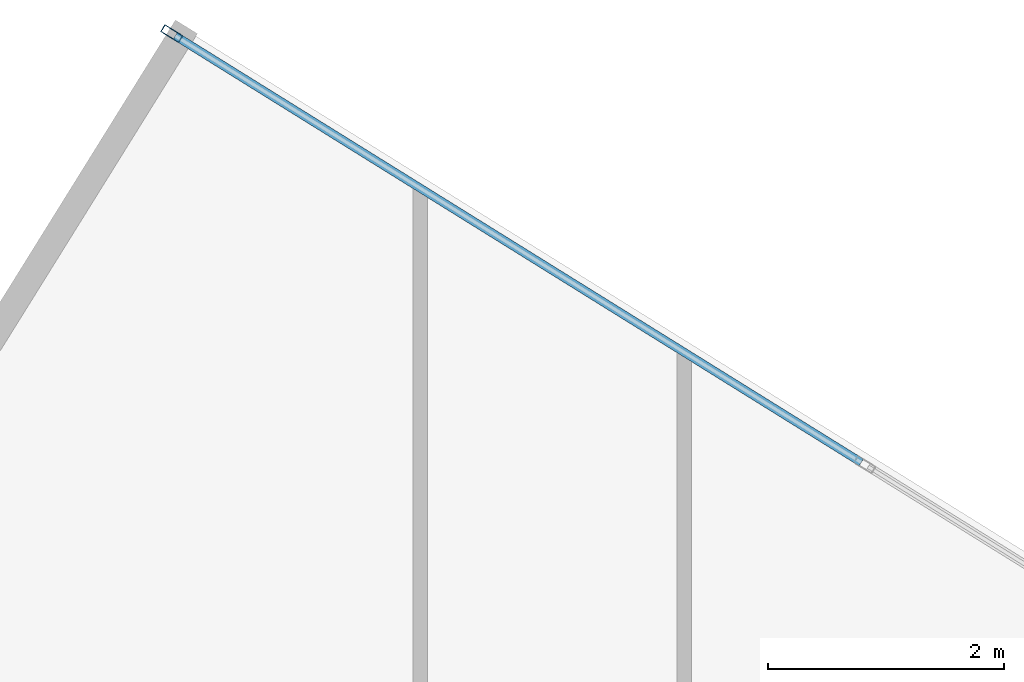
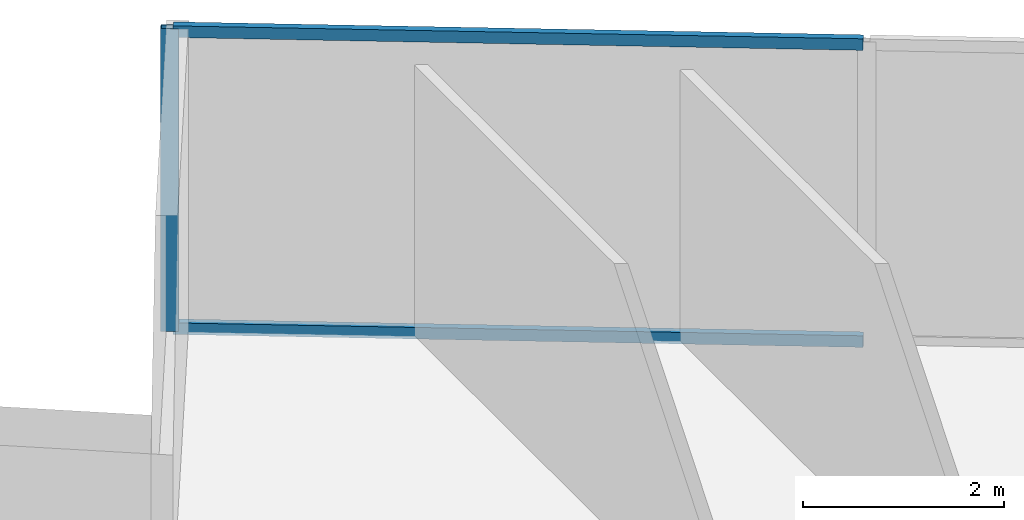
# One storey, part 16 of 25: 3 members, 1 element without a shape of its own.
"""IFC4 building model written with IfcOpenShell, lengths in metres."""

from ifc_helpers import new_model, si_unit, direction, frame, origin, origin_2d, place, context, subcontext, project, spatial, hollow_rectangle, extrude, source, transform, mapped, material, material_profile, profile_set, type_object, type_shapes, element, aggregate, save


model = new_model("IFC4")

# Units and contexts
model_context = context("Model", 3, precision=1e-05, world=origin(), true_north=direction((0.0, 1.0)))
body_context = subcontext(model_context, "Body", "Model", "MODEL_VIEW")
ifc_project = project(units=[si_unit("LENGTHUNIT", "METRE"), si_unit("AREAUNIT", "SQUARE_METRE"), si_unit("VOLUMEUNIT", "CUBIC_METRE"), si_unit("PLANEANGLEUNIT", "RADIAN"), si_unit("MASSUNIT", "GRAM", prefix="KILO")], contexts=[model_context])

# Site, building, storey
site_placement = place(None, origin())
site = spatial("IfcSite", under=ifc_project, at=site_placement, CompositionType="ELEMENT")
building_placement = place(site_placement, origin())
building = spatial("IfcBuilding", under=site, at=building_placement, Name="Krantzveldt Concourse Tower", CompositionType="ELEMENT")
storey_placement = place(building_placement, frame((0.0, 0.0, 177.800048828125)))
storey = spatial("IfcBuildingStorey", under=building, at=storey_placement, Name="L43", CompositionType="ELEMENT", Elevation=177.800048828125)

# Curtain wall, members
ifc_material = material(Name="Anodised aluminium 6063-T6", Category="aluminium")
curtain_wall_type = type_object("IfcCurtainWallType", Name="CW3", PredefinedType="USERDEFINED", material=ifc_material)
curtain_wall_placement = place(storey_placement, origin())
curtain_wall = element("IfcCurtainWall", 1, at=curtain_wall_placement, inside=storey, type_object=curtain_wall_type, Name="CW-L43-F10", ObjectType="UNITISED CURTAIN WALL", PredefinedType="USERDEFINED")
ifc_material_profile_1 = material_profile(ifc_material, hollow_rectangle(XDim=0.070068359375, YDim=0.179931640625, WallThickness=0.0048828125, at=origin_2d()), Name="Anodised aluminium 6063-T6", Category="aluminium")
ifc_profile_set_1 = profile_set([ifc_material_profile_1], Name="Anodised aluminium 6063-T6 - ALU-MULL 180x70x5")
member_type_1 = type_object("IfcMemberType", Name="CW-MUL-180", PredefinedType="MULLION", material=ifc_profile_set_1)
shared_shape_1 = source(origin(), body_context, "Body", "SweptSolid", [
    extrude(hollow_rectangle(XDim=0.070068359375, YDim=0.179931640625, WallThickness=0.0048828125, at=origin_2d()), origin(), (0.0, 0.0, 1.0), 3.669921875),
])
type_shapes(member_type_1, [shared_shape_1])
member_1_placement = place(storey_placement, frame((32.770751953125, 54.39111328125, 0.0), z_axis=(0.0, 0.0, 1.0), x_axis=(-0.528067901977, -0.84920214961, 0.0)))
member_1 = element("IfcMember", 2, at=member_1_placement, type_object=member_type_1, Name="CW-Z34 mullion 6", PredefinedType="MULLION", context=body_context, shape_type="MappedRepresentation", body=[
    mapped(shared_shape_1, transform((0.0, 0.0, 0.0), x_axis=(1.0, 0.0, 0.0), y_axis=(0.0, 1.0, 0.0), z_axis=(0.0, 0.0, 1.0), scale=1.0)),
])
ifc_material_profile_2 = material_profile(ifc_material, hollow_rectangle(XDim=0.070068359375, YDim=0.139892578125, WallThickness=0.0048828125, at=origin_2d()), Name="Anodised aluminium 6063-T6", Category="aluminium")
ifc_profile_set_2 = profile_set([ifc_material_profile_2], Name="Anodised aluminium 6063-T6 - ALU-TRAN 140x70x5")
member_type_2 = type_object("IfcMemberType", Name="CW-TRN-150", PredefinedType="USERDEFINED", material=ifc_profile_set_2)
shared_shape_2 = source(origin(), body_context, "Body", "SweptSolid", [
    extrude(hollow_rectangle(XDim=0.070068359375, YDim=0.139892578125, WallThickness=0.0048828125, at=origin_2d()), origin(), (0.0, 0.0, 1.0), 6.85498046875),
])
type_shapes(member_type_2, [shared_shape_2])
member_2_placement = place(storey_placement, frame((38.621826171875, 50.752685546875, 0.034912109375), z_axis=(-0.849204609246, 0.52806394654, 0.0), x_axis=(-0.52806394654, -0.849204609246, 0.0)))
member_2 = element("IfcMember", 3, at=member_2_placement, type_object=member_type_2, Name="CW-Z34 transom 5.1", ObjectType="TRANSOM", PredefinedType="USERDEFINED", context=body_context, shape_type="MappedRepresentation", body=[
    mapped(shared_shape_2, transform((0.0, 0.0, 0.0), x_axis=(1.0, 0.0, 0.0), y_axis=(0.0, 1.0, 0.0), z_axis=(0.0, 0.0, 1.0), scale=1.0)),
])
member_3_placement = place(storey_placement, frame((38.621826171875, 50.752685546875, 3.635009765625), z_axis=(-0.849204609246, 0.52806394654, 0.0), x_axis=(-0.52806394654, -0.849204609246, 0.0)))
member_3 = element("IfcMember", 4, at=member_3_placement, type_object=member_type_2, Name="CW-Z34 transom 5.2", ObjectType="TRANSOM", PredefinedType="USERDEFINED", context=body_context, shape_type="MappedRepresentation", body=[
    mapped(shared_shape_2, transform((0.0, 0.0, 0.0), x_axis=(1.0, 0.0, 0.0), y_axis=(0.0, 1.0, 0.0), z_axis=(0.0, 0.0, 1.0), scale=1.0)),
])
aggregate(curtain_wall, [member_1, member_2, member_3])

save(model, "model.ifc")
